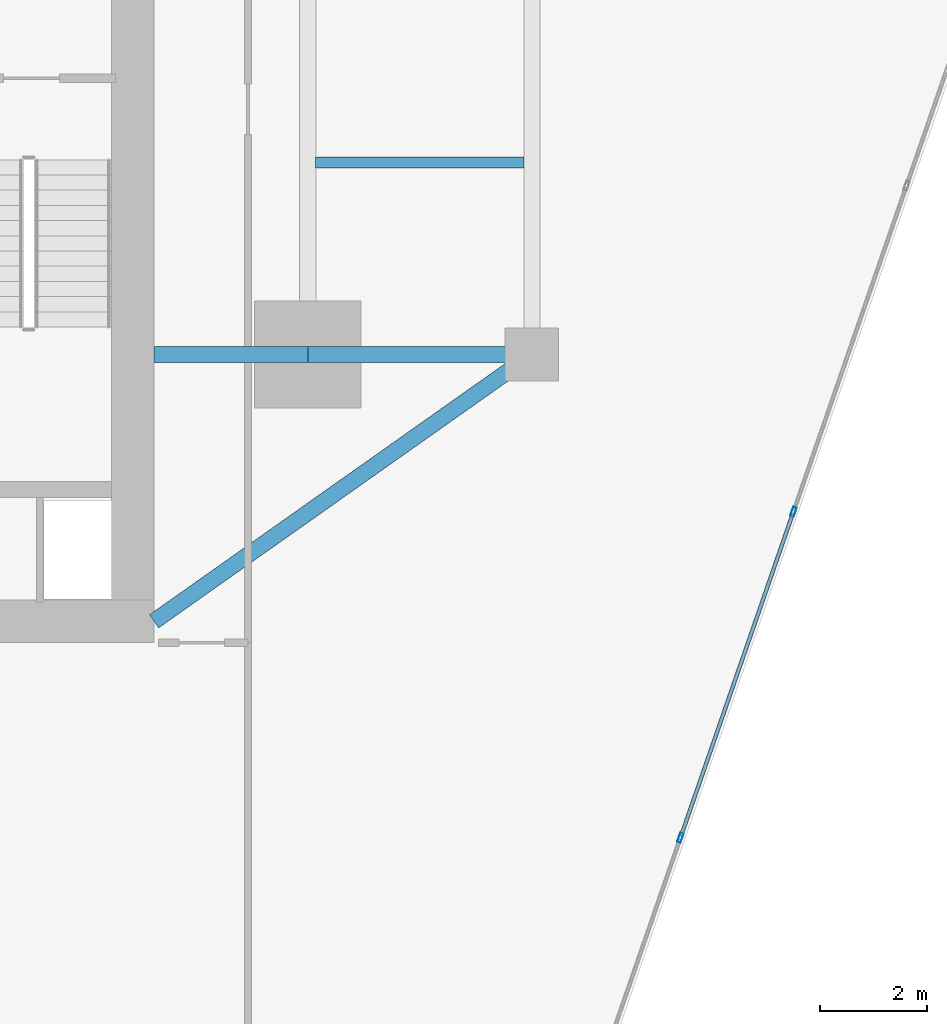
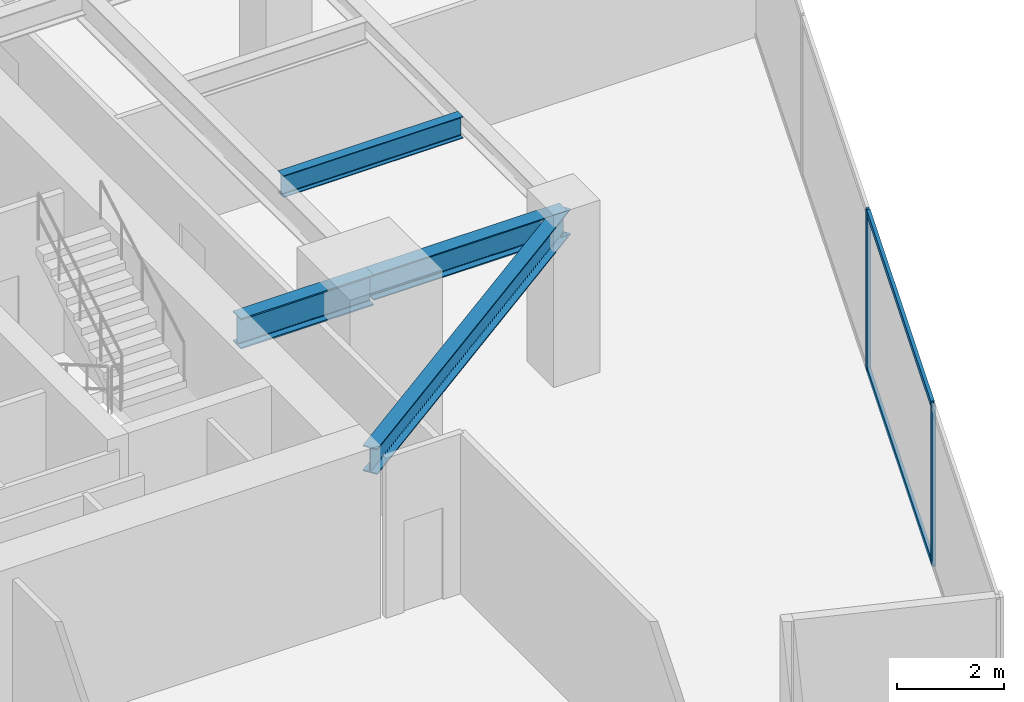
# One storey, part 11 of 27: 4 beams, 4 members, 1 element without a shape of its own.
"""IFC4 building model written with IfcOpenShell, lengths in metres."""

from ifc_helpers import new_model, si_unit, direction, frame, origin, origin_2d, place, context, subcontext, project, spatial, hollow_rectangle, i_section, extrude, source, transform, mapped, material, material_profile, profile_set, type_object, type_shapes, element, aggregate, save


model = new_model("IFC4")

# Units and contexts
model_context = context("Model", 3, precision=1e-05, world=origin(), true_north=direction((0.0, 1.0)))
body_context = subcontext(model_context, "Body", "Model", "MODEL_VIEW")
ifc_project = project(units=[si_unit("LENGTHUNIT", "METRE"), si_unit("AREAUNIT", "SQUARE_METRE"), si_unit("VOLUMEUNIT", "CUBIC_METRE"), si_unit("PLANEANGLEUNIT", "RADIAN"), si_unit("MASSUNIT", "GRAM", prefix="KILO")], contexts=[model_context])

# Site, building, storey
site_placement = place(None, origin())
site = spatial("IfcSite", under=ifc_project, at=site_placement, CompositionType="ELEMENT")
building_placement = place(site_placement, origin())
building = spatial("IfcBuilding", under=site, at=building_placement, Name="Krantzveldt Concourse Tower", CompositionType="ELEMENT")
storey_placement = place(building_placement, frame((0.0, 0.0, 121.64990234375)))
storey = spatial("IfcBuildingStorey", under=building, at=storey_placement, Name="L29", CompositionType="ELEMENT", Elevation=121.64990234375)

# Beams
ifc_material_1 = material(Name="Steel S355J2", Category="steel")
ifc_material_profile_1 = material_profile(ifc_material_1, i_section(OverallWidth=0.300048828125, OverallDepth=0.699951171875, WebThickness=0.01708984375, FlangeThickness=0.031982421875, FilletRadius=0.027099609375, at=origin_2d()), Name="Steel S355J2", Category="steel")
ifc_profile_set_1 = profile_set([ifc_material_profile_1], Name="Steel S355J2 - HEB 700")
beam_type_1 = type_object("IfcBeamType", Name="BM-B-HEB700", PredefinedType="BEAM", material=ifc_profile_set_1)
shared_shape_1 = source(origin(), body_context, "Body", "SweptSolid", [
    extrude(i_section(OverallWidth=0.300048828125, OverallDepth=0.699951171875, WebThickness=0.01708984375, FlangeThickness=0.031982421875, FilletRadius=0.027099609375, at=origin_2d()), origin(), (0.0, 0.0, 1.0), 2.880126953125),
])
type_shapes(beam_type_1, [shared_shape_1])
beam_1_placement = place(storey_placement, frame((43.919921875, 15.89990234375, 3.320068359375), z_axis=(1.0, 0.0, 0.0), x_axis=(0.0, 1.0, 0.0)))
element("IfcBeam", 1, at=beam_1_placement, inside=storey, type_object=beam_type_1, Name="L29 Tower Girder BG-CE1", PredefinedType="BEAM", context=body_context, shape_type="MappedRepresentation", body=[
    mapped(shared_shape_1, transform((0.0, 0.0, 0.0), x_axis=(1.0, 0.0, 0.0), y_axis=(0.0, 1.0, 0.0), z_axis=(0.0, 0.0, 1.0), scale=1.0)),
])
ifc_material_2 = material(Name="Steel S355JR", Category="steel")
ifc_material_profile_2 = material_profile(ifc_material_2, i_section(OverallWidth=0.300048828125, OverallDepth=0.590087890625, WebThickness=0.012939453125, FlangeThickness=0.02490234375, FilletRadius=0.027099609375, at=origin_2d()), Name="Steel S355JR", Category="steel")
ifc_profile_set_2 = profile_set([ifc_material_profile_2], Name="Steel S355JR - HEA 600")
beam_type_2 = type_object("IfcBeamType", Name="BM-B-HEA600", PredefinedType="BEAM", material=ifc_profile_set_2)
shared_shape_2 = source(origin(), body_context, "Body", "SweptSolid", [
    extrude(i_section(OverallWidth=0.300048828125, OverallDepth=0.590087890625, WebThickness=0.012939453125, FlangeThickness=0.02490234375, FilletRadius=0.027099609375, at=origin_2d()), origin(), (0.0, 0.0, 1.0), 4.199951171875),
])
beam_2_placement = place(storey_placement, frame((46.800048828125, 15.89990234375, 3.375), z_axis=(1.0, 0.0, 0.0), x_axis=(0.0, 1.0, 0.0)))
element("IfcBeam", 2, at=beam_2_placement, inside=storey, type_object=beam_type_2, Name="L29 Tower Girder BR-RR1", PredefinedType="BEAM", context=body_context, shape_type="MappedRepresentation", body=[
    mapped(shared_shape_2, transform((0.0, 0.0, 0.0), x_axis=(1.0, 0.0, 0.0), y_axis=(0.0, 1.0, 0.0), z_axis=(0.0, 0.0, 1.0), scale=1.0)),
])
shared_shape_3 = source(origin(), body_context, "Body", "SweptSolid", [
    extrude(i_section(OverallWidth=0.300048828125, OverallDepth=0.590087890625, WebThickness=0.012939453125, FlangeThickness=0.02490234375, FilletRadius=0.027099609375, at=origin_2d()), origin(), (0.0, 0.0, 1.0), 8.667724609375),
])
type_shapes(beam_type_2, [shared_shape_2, shared_shape_3])
beam_3_placement = place(storey_placement, frame((51.0, 15.89990234375, 3.375), z_axis=(-0.81684294656, -0.576860122261, 0.0), x_axis=(0.576860122261, -0.81684294656, 0.0)))
element("IfcBeam", 3, at=beam_3_placement, inside=storey, type_object=beam_type_2, Name="L29 Tower Girder BR-CSE", PredefinedType="BEAM", context=body_context, shape_type="MappedRepresentation", body=[
    mapped(shared_shape_3, transform((0.0, 0.0, 0.0), x_axis=(1.0, 0.0, 0.0), y_axis=(0.0, 1.0, 0.0), z_axis=(0.0, 0.0, 1.0), scale=1.0)),
])
ifc_material_profile_3 = material_profile(ifc_material_2, i_section(OverallWidth=0.199951171875, OverallDepth=0.5, WebThickness=0.01025390625, FlangeThickness=0.01611328125, FilletRadius=0.02099609375, at=origin_2d()), Name="Steel S355JR", Category="steel")
ifc_profile_set_3 = profile_set([ifc_material_profile_3], Name="Steel S355JR - IPE 500")
beam_type_3 = type_object("IfcBeamType", Name="BM-J-IPE500", PredefinedType="JOIST", material=ifc_profile_set_3)
shared_shape_4 = source(origin(), body_context, "Body", "SweptSolid", [
    extrude(i_section(OverallWidth=0.199951171875, OverallDepth=0.5, WebThickness=0.01025390625, FlangeThickness=0.01611328125, FilletRadius=0.02099609375, at=origin_2d()), origin(), (0.0, 0.0, 1.0), 3.900146484375),
])
type_shapes(beam_type_3, [shared_shape_4])
beam_4_placement = place(storey_placement, frame((46.949951171875, 19.5, 3.420166015625), z_axis=(1.0, 0.0, 0.0), x_axis=(0.0, 1.0, 0.0)))
element("IfcBeam", 4, at=beam_4_placement, inside=storey, type_object=beam_type_3, Name="L29 Secondary Floor Joist JE-1", PredefinedType="JOIST", context=body_context, shape_type="MappedRepresentation", body=[
    mapped(shared_shape_4, transform((0.0, 0.0, 0.0), x_axis=(1.0, 0.0, 0.0), y_axis=(0.0, 1.0, 0.0), z_axis=(0.0, 0.0, 1.0), scale=1.0)),
])

# Curtain wall, members
ifc_material_3 = material(Name="Anodised aluminium 6063-T6", Category="aluminium")
curtain_wall_type = type_object("IfcCurtainWallType", Name="CW2", PredefinedType="USERDEFINED", material=ifc_material_3)
curtain_wall_placement = place(storey_placement, origin())
curtain_wall = element("IfcCurtainWall", 5, at=curtain_wall_placement, inside=storey, type_object=curtain_wall_type, Name="CW-L29-F07", ObjectType="UNITISED CURTAIN WALL", PredefinedType="USERDEFINED")
ifc_material_profile_4 = material_profile(ifc_material_3, hollow_rectangle(XDim=0.070068359375, YDim=0.179931640625, WallThickness=0.0048828125, at=origin_2d()), Name="Anodised aluminium 6063-T6", Category="aluminium")
ifc_profile_set_4 = profile_set([ifc_material_profile_4], Name="Anodised aluminium 6063-T6 - ALU-MULL 180x70x5")
member_type_1 = type_object("IfcMemberType", Name="CW-MUL-180", PredefinedType="MULLION", material=ifc_profile_set_4)
shared_shape_5 = source(origin(), body_context, "Body", "SweptSolid", [
    extrude(hollow_rectangle(XDim=0.070068359375, YDim=0.179931640625, WallThickness=0.0048828125, at=origin_2d()), origin(), (0.0, 0.0, 1.0), 3.670166015625),
])
type_shapes(member_type_1, [shared_shape_5])
member_1_placement = place(storey_placement, frame((53.7861328125, 6.843505859375, 0.0), z_axis=(0.0, 0.0, 1.0), x_axis=(-0.944806041446, 0.32763019404, 0.0)))
member_1 = element("IfcMember", 6, at=member_1_placement, type_object=member_type_1, Name="CW-Z12 mullion 2", PredefinedType="MULLION", context=body_context, shape_type="MappedRepresentation", body=[
    mapped(shared_shape_5, transform((0.0, 0.0, 0.0), x_axis=(1.0, 0.0, 0.0), y_axis=(0.0, 1.0, 0.0), z_axis=(0.0, 0.0, 1.0), scale=1.0)),
])
member_2_placement = place(storey_placement, frame((55.90478515625, 12.953125, 0.0), z_axis=(0.0, 0.0, 1.0), x_axis=(-0.944806041446, 0.32763019404, 0.0)))
member_2 = element("IfcMember", 7, at=member_2_placement, type_object=member_type_1, Name="CW-Z12 mullion 3", PredefinedType="MULLION", context=body_context, shape_type="MappedRepresentation", body=[
    mapped(shared_shape_5, transform((0.0, 0.0, 0.0), x_axis=(1.0, 0.0, 0.0), y_axis=(0.0, 1.0, 0.0), z_axis=(0.0, 0.0, 1.0), scale=1.0)),
])
ifc_material_profile_5 = material_profile(ifc_material_3, hollow_rectangle(XDim=0.070068359375, YDim=0.139892578125, WallThickness=0.0048828125, at=origin_2d()), Name="Anodised aluminium 6063-T6", Category="aluminium")
ifc_profile_set_5 = profile_set([ifc_material_profile_5], Name="Anodised aluminium 6063-T6 - ALU-TRAN 140x70x5")
member_type_2 = type_object("IfcMemberType", Name="CW-TRN-150", PredefinedType="USERDEFINED", material=ifc_profile_set_5)
shared_shape_6 = source(origin(), body_context, "Body", "SweptSolid", [
    extrude(hollow_rectangle(XDim=0.070068359375, YDim=0.139892578125, WallThickness=0.0048828125, at=origin_2d()), origin(), (0.0, 0.0, 1.0), 6.396728515625),
])
type_shapes(member_type_2, [shared_shape_6])
member_3_placement = place(storey_placement, frame((53.797607421875, 6.87646484375, 0.03515625), z_axis=(0.327620443666, 0.944809422525, 0.0), x_axis=(-0.944809422525, 0.327620443666, 0.0)))
member_3 = element("IfcMember", 8, at=member_3_placement, type_object=member_type_2, Name="CW-Z12 transom 2.1", ObjectType="TRANSOM", PredefinedType="USERDEFINED", context=body_context, shape_type="MappedRepresentation", body=[
    mapped(shared_shape_6, transform((0.0, 0.0, 0.0), x_axis=(1.0, 0.0, 0.0), y_axis=(0.0, 1.0, 0.0), z_axis=(0.0, 0.0, 1.0), scale=1.0)),
])
member_4_placement = place(storey_placement, frame((53.797607421875, 6.87646484375, 3.635009765625), z_axis=(0.327620443666, 0.944809422525, 0.0), x_axis=(-0.944809422525, 0.327620443666, 0.0)))
member_4 = element("IfcMember", 9, at=member_4_placement, type_object=member_type_2, Name="CW-Z12 transom 2.2", ObjectType="TRANSOM", PredefinedType="USERDEFINED", context=body_context, shape_type="MappedRepresentation", body=[
    mapped(shared_shape_6, transform((0.0, 0.0, 0.0), x_axis=(1.0, 0.0, 0.0), y_axis=(0.0, 1.0, 0.0), z_axis=(0.0, 0.0, 1.0), scale=1.0)),
])
aggregate(curtain_wall, [member_1, member_2, member_3, member_4])

save(model, "model.ifc")
